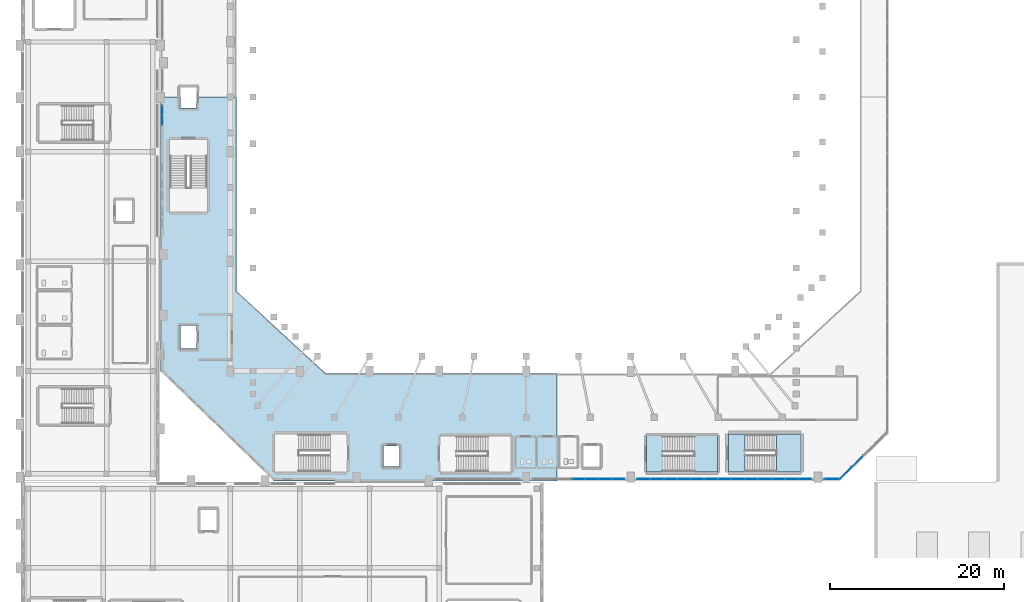
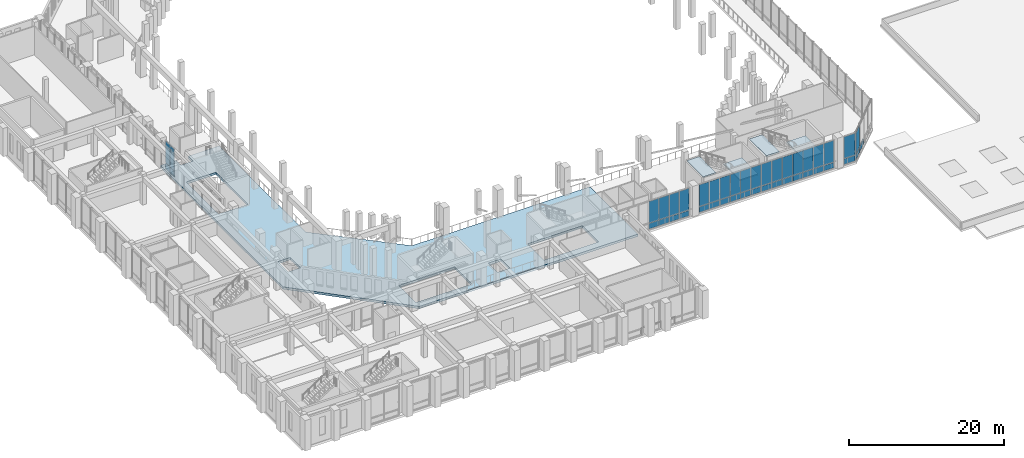
# One storey, part 68 of 126: 43 plates, 5 slabs, 7 elements without a shape of their own.
"""IFC4 building model written with IfcOpenShell, lengths in metres."""

from ifc_helpers import new_model, si_unit, derived_unit, direction, frame, origin, origin_2d, place, context, subcontext, project, spatial, polyline, rectangle, outline, extrude, material, layer, layer_set, type_object, element, aggregate, save


model = new_model("IFC4")

# Units and contexts
model_context = context("Model", 3, precision=1e-05, world=origin(), true_north=direction((0.0, 1.0)))
body_context = subcontext(model_context, "Body", "Model", "MODEL_VIEW")
ifc_project = project(units=[si_unit("LENGTHUNIT", "METRE"), si_unit("AREAUNIT", "SQUARE_METRE"), si_unit("VOLUMEUNIT", "CUBIC_METRE"), si_unit("PLANEANGLEUNIT", "RADIAN"), si_unit("MASSUNIT", "GRAM", prefix="KILO"), derived_unit("THERMALTRANSMITTANCEUNIT", [(si_unit("MASSUNIT", "GRAM", prefix="KILO"), 1), (si_unit("TIMEUNIT", "SECOND"), -3), (si_unit("THERMODYNAMICTEMPERATUREUNIT", "KELVIN"), -1)])], contexts=[model_context])

# Site, building, storey
site_placement = place(None, origin())
site = spatial("IfcSite", under=ifc_project, at=site_placement, CompositionType="ELEMENT")
building_placement = place(site_placement, origin())
building = spatial("IfcBuilding", under=site, at=building_placement, Name="Valcora Ridge Arena", CompositionType="ELEMENT")
storey_placement = place(building_placement, frame((0.0, 0.0, 11.39990234375)))
storey = spatial("IfcBuildingStorey", under=building, at=storey_placement, Name="L02", CompositionType="ELEMENT", Elevation=11.39990234375)

# Stair, slabs
ifc_material_1 = material(Name="Concrete C40/50", Category="concrete")
stair_type_1 = type_object("IfcStairType", Name="TY-STAIR-ES02-48", PredefinedType="HALF_TURN_STAIR", material=ifc_material_1)
stair_1_placement = place(storey_placement, origin())
stair_1 = element("IfcStair", 1, at=stair_1_placement, inside=storey, type_object=stair_type_1, Name="ES02-48 STR-ES-0007", PredefinedType="HALF_TURN_STAIR")
ifc_layer_1 = layer(ifc_material_1, 0.199951171875, Name="Concrete C40/50")
ifc_layer_set_1 = layer_set([ifc_layer_1], Name="Concrete C40/50")
slab_type_1 = type_object("IfcSlabType", Name="TY-LAND-ES02-48", PredefinedType="LANDING", material=ifc_layer_set_1)
slab_1_placement = place(storey_placement, frame((0.0, 0.0, 2.2001953125)))
slab_1 = element("IfcSlab", 2, at=slab_1_placement, type_object=slab_type_1, Name="ES02-48 landing 1", PredefinedType="LANDING", context=body_context, shape_type="SweptSolid", body=[
    extrude(outline(polyline([(77.280029296875, 21.001953125), (79.9580078125, 21.001953125), (79.9580078125, 25.197998046875), (77.280029296875, 25.197998046875), (77.280029296875, 21.001953125)])), origin(), (0.0, 0.0, 1.0), 0.199951171875),
])
slab_2_placement = place(storey_placement, frame((0.0, 0.0, 4.60009765625)))
slab_2 = element("IfcSlab", 3, at=slab_2_placement, type_object=slab_type_1, Name="ES02-48 landing 2", PredefinedType="LANDING", context=body_context, shape_type="SweptSolid", body=[
    extrude(outline(polyline([(71.802001953125, 21.001953125), (73.679931640625, 21.001953125), (73.679931640625, 25.197998046875), (71.802001953125, 25.197998046875), (71.802001953125, 21.001953125)])), origin(), (0.0, 0.0, 1.0), 0.199951171875),
])
aggregate(stair_1, [slab_1, slab_2])

stair_type_2 = type_object("IfcStairType", Name="TY-STAIR-ST02-48", PredefinedType="HALF_TURN_STAIR", material=ifc_material_1)
stair_2_placement = place(storey_placement, origin())
stair_2 = element("IfcStair", 4, at=stair_2_placement, inside=storey, type_object=stair_type_2, Name="ST02-48 STR-CR-0010", PredefinedType="HALF_TURN_STAIR")
ifc_layer_2 = layer(ifc_material_1, 0.199951171875, Name="Concrete C40/50")
ifc_layer_set_2 = layer_set([ifc_layer_2], Name="Concrete C40/50")
slab_type_2 = type_object("IfcSlabType", Name="TY-LAND-ST02-48", PredefinedType="LANDING", material=ifc_layer_set_2)
slab_3_placement = place(storey_placement, frame((0.0, 0.0, 2.2001953125)))
slab_3 = element("IfcSlab", 5, at=slab_3_placement, type_object=slab_type_2, Name="ST02-48 landing 1", PredefinedType="LANDING", context=body_context, shape_type="SweptSolid", body=[
    extrude(outline(polyline([(86.72998046875, 21.001953125), (89.51806640625, 21.001953125), (89.51806640625, 25.39794921875), (86.72998046875, 25.39794921875), (86.72998046875, 21.001953125)])), origin(), (0.0, 0.0, 1.0), 0.199951171875),
])
slab_4_placement = place(storey_placement, frame((0.0, 0.0, 4.60009765625)))
slab_4 = element("IfcSlab", 6, at=slab_4_placement, type_object=slab_type_2, Name="ST02-48 landing 2", PredefinedType="LANDING", context=body_context, shape_type="SweptSolid", body=[
    extrude(outline(polyline([(81.201904296875, 21.001953125), (83.1298828125, 21.001953125), (83.1298828125, 25.39794921875), (81.201904296875, 25.39794921875), (81.201904296875, 21.001953125)])), origin(), (0.0, 0.0, 1.0), 0.199951171875),
])
aggregate(stair_2, [slab_3, slab_4])

# Curtain wall, plates
ifc_material_2 = material(Name="Anodised dark bronze architectural aluminium 6063-T6", Category="aluminium")
ifc_layer_3 = layer(ifc_material_2, 0.179931640625, Name="Anodised dark bronze architectural aluminium 6063-T6")
ifc_layer_set_3 = layer_set([ifc_layer_3], Name="Anodised dark bronze architectural aluminium 6063-T6")
curtain_wall_type_1 = type_object("IfcCurtainWallType", Name="TY-CURTAINWALL-CW-V1-GOTH-023X44", PredefinedType="NOTDEFINED", material=ifc_layer_set_3)
curtain_wall_1_placement = place(storey_placement, origin())
curtain_wall_1 = element("IfcCurtainWall", 7, at=curtain_wall_1_placement, inside=storey, type_object=curtain_wall_type_1, Name="CW-V1-GOTH-023X44 CW-0114", PredefinedType="NOTDEFINED")
ifc_material_3 = material(Name="Low-iron solar-control double glazing SHGC 0.28", Category="glass")
ifc_layer_4 = layer(ifc_material_3, 0.031982421875, Name="Low-iron solar-control double glazing SHGC 0.28")
ifc_layer_set_4 = layer_set([ifc_layer_4], Name="Low-iron solar-control double glazing SHGC 0.28")
plate_type_1 = type_object("IfcPlateType", Name="TY-PLT-CWP-1065X0860", PredefinedType="CURTAIN_PANEL", material=ifc_layer_set_4)
plate_1_placement = place(storey_placement, frame((16.199951171875, 61.4423828125, 0.06005859375), z_axis=(0.0, 0.0, 1.0), x_axis=(0.0, 1.0, 0.0)))
plate_1 = element("IfcPlate", 8, at=plate_1_placement, type_object=plate_type_1, Name="CW-0114/P00-00", PredefinedType="CURTAIN_PANEL", context=body_context, shape_type="SweptSolid", body=[
    extrude(rectangle(XDim=1.06494140625, YDim=0.031982421875, at=origin_2d()), origin(), (0.0, 0.0, 1.0), 0.860107421875),
])
plate_2_placement = place(storey_placement, frame((16.199951171875, 62.5673828125, 0.06005859375), z_axis=(0.0, 0.0, 1.0), x_axis=(0.0, 1.0, 0.0)))
plate_2 = element("IfcPlate", 9, at=plate_2_placement, type_object=plate_type_1, Name="CW-0114/P01-00", PredefinedType="CURTAIN_PANEL", context=body_context, shape_type="SweptSolid", body=[
    extrude(rectangle(XDim=1.06494140625, YDim=0.031982421875, at=origin_2d()), origin(), (0.0, 0.0, 1.0), 0.860107421875),
])
ifc_layer_5 = layer(ifc_material_3, 0.031982421875, Name="Low-iron solar-control double glazing SHGC 0.28")
ifc_layer_set_5 = layer_set([ifc_layer_5], Name="Low-iron solar-control double glazing SHGC 0.28")
plate_type_2 = type_object("IfcPlateType", Name="TY-PLT-CWP-1065X3410", PredefinedType="CURTAIN_PANEL", material=ifc_layer_set_5)
plate_3_placement = place(storey_placement, frame((16.199951171875, 61.4423828125, 0.97998046875), z_axis=(0.0, 0.0, 1.0), x_axis=(0.0, 1.0, 0.0)))
plate_3 = element("IfcPlate", 10, at=plate_3_placement, type_object=plate_type_2, Name="CW-0114/P00-01", PredefinedType="CURTAIN_PANEL", context=body_context, shape_type="SweptSolid", body=[
    extrude(rectangle(XDim=1.06494140625, YDim=0.031982421875, at=origin_2d()), origin(), (0.0, 0.0, 1.0), 3.409912109375),
])
plate_4_placement = place(storey_placement, frame((16.199951171875, 62.5673828125, 0.97998046875), z_axis=(0.0, 0.0, 1.0), x_axis=(0.0, 1.0, 0.0)))
plate_4 = element("IfcPlate", 11, at=plate_4_placement, type_object=plate_type_2, Name="CW-0114/P01-01", PredefinedType="CURTAIN_PANEL", context=body_context, shape_type="SweptSolid", body=[
    extrude(rectangle(XDim=1.06494140625, YDim=0.031982421875, at=origin_2d()), origin(), (0.0, 0.0, 1.0), 3.409912109375),
])
aggregate(curtain_wall_1, [plate_1, plate_3, plate_2, plate_4])

ifc_layer_6 = layer(ifc_material_2, 0.179931640625, Name="Anodised dark bronze architectural aluminium 6063-T6")
ifc_layer_set_6 = layer_set([ifc_layer_6], Name="Anodised dark bronze architectural aluminium 6063-T6")
curtain_wall_type_2 = type_object("IfcCurtainWallType", Name="TY-CURTAINWALL-CW-V1-GOTH-106X44", PredefinedType="NOTDEFINED", material=ifc_layer_set_6)
curtain_wall_2_placement = place(storey_placement, origin())
curtain_wall_2 = element("IfcCurtainWall", 12, at=curtain_wall_2_placement, inside=storey, type_object=curtain_wall_type_2, Name="CW-V1-GOTH-106X44 CW-0121", PredefinedType="NOTDEFINED")
ifc_layer_7 = layer(ifc_material_3, 0.031982421875, Name="Low-iron solar-control double glazing SHGC 0.28")
ifc_layer_set_7 = layer_set([ifc_layer_7], Name="Low-iron solar-control double glazing SHGC 0.28")
plate_type_3 = type_object("IfcPlateType", Name="TY-PLT-CWP-1427X0860", PredefinedType="CURTAIN_PANEL", material=ifc_layer_set_7)
plate_5_placement = place(storey_placement, frame((68.53662109375, 20.199951171875, 0.06005859375), z_axis=(0.0, 0.0, 1.0), x_axis=(1.0, 0.0, 0.0)))
plate_5 = element("IfcPlate", 13, at=plate_5_placement, type_object=plate_type_3, Name="CW-0121/P06-00", PredefinedType="CURTAIN_PANEL", context=body_context, shape_type="SweptSolid", body=[
    extrude(rectangle(XDim=1.427001953125, YDim=0.031982421875, at=origin_2d()), origin(), (0.0, 0.0, 1.0), 0.860107421875),
])
ifc_layer_8 = layer(ifc_material_3, 0.031982421875, Name="Low-iron solar-control double glazing SHGC 0.28")
ifc_layer_set_8 = layer_set([ifc_layer_8], Name="Low-iron solar-control double glazing SHGC 0.28")
plate_type_4 = type_object("IfcPlateType", Name="TY-PLT-CWP-1427X3410", PredefinedType="CURTAIN_PANEL", material=ifc_layer_set_8)
plate_6_placement = place(storey_placement, frame((68.53662109375, 20.199951171875, 0.97998046875), z_axis=(0.0, 0.0, 1.0), x_axis=(1.0, 0.0, 0.0)))
plate_6 = element("IfcPlate", 14, at=plate_6_placement, type_object=plate_type_4, Name="CW-0121/P06-01", PredefinedType="CURTAIN_PANEL", context=body_context, shape_type="SweptSolid", body=[
    extrude(rectangle(XDim=1.427001953125, YDim=0.031982421875, at=origin_2d()), origin(), (0.0, 0.0, 1.0), 3.409912109375),
])
ifc_layer_9 = layer(ifc_material_3, 0.031982421875, Name="Low-iron solar-control double glazing SHGC 0.28")
ifc_layer_set_9 = layer_set([ifc_layer_9], Name="Low-iron solar-control double glazing SHGC 0.28")
plate_type_5 = type_object("IfcPlateType", Name="TY-PLT-CWP-1457X0860", PredefinedType="CURTAIN_PANEL", material=ifc_layer_set_9)
plate_7_placement = place(storey_placement, frame((65.517578125, 20.199951171875, 0.06005859375), z_axis=(0.0, 0.0, 1.0), x_axis=(1.0, 0.0, 0.0)))
plate_7 = element("IfcPlate", 15, at=plate_7_placement, type_object=plate_type_5, Name="CW-0121/P04-00", PredefinedType="CURTAIN_PANEL", context=body_context, shape_type="SweptSolid", body=[
    extrude(rectangle(XDim=1.45703125, YDim=0.031982421875, at=origin_2d()), origin(), (0.0, 0.0, 1.0), 0.860107421875),
])
plate_8_placement = place(storey_placement, frame((67.034423828125, 20.199951171875, 0.06005859375), z_axis=(0.0, 0.0, 1.0), x_axis=(1.0, 0.0, 0.0)))
plate_8 = element("IfcPlate", 16, at=plate_8_placement, type_object=plate_type_5, Name="CW-0121/P05-00", PredefinedType="CURTAIN_PANEL", context=body_context, shape_type="SweptSolid", body=[
    extrude(rectangle(XDim=1.45703125, YDim=0.031982421875, at=origin_2d()), origin(), (0.0, 0.0, 1.0), 0.860107421875),
])
ifc_layer_10 = layer(ifc_material_3, 0.031982421875, Name="Low-iron solar-control double glazing SHGC 0.28")
ifc_layer_set_10 = layer_set([ifc_layer_10], Name="Low-iron solar-control double glazing SHGC 0.28")
plate_type_6 = type_object("IfcPlateType", Name="TY-PLT-CWP-1457X3410", PredefinedType="CURTAIN_PANEL", material=ifc_layer_set_10)
plate_9_placement = place(storey_placement, frame((65.517578125, 20.199951171875, 0.97998046875), z_axis=(0.0, 0.0, 1.0), x_axis=(1.0, 0.0, 0.0)))
plate_9 = element("IfcPlate", 17, at=plate_9_placement, type_object=plate_type_6, Name="CW-0121/P04-01", PredefinedType="CURTAIN_PANEL", context=body_context, shape_type="SweptSolid", body=[
    extrude(rectangle(XDim=1.45703125, YDim=0.031982421875, at=origin_2d()), origin(), (0.0, 0.0, 1.0), 3.409912109375),
])
plate_10_placement = place(storey_placement, frame((67.034423828125, 20.199951171875, 0.97998046875), z_axis=(0.0, 0.0, 1.0), x_axis=(1.0, 0.0, 0.0)))
plate_10 = element("IfcPlate", 18, at=plate_10_placement, type_object=plate_type_6, Name="CW-0121/P05-01", PredefinedType="CURTAIN_PANEL", context=body_context, shape_type="SweptSolid", body=[
    extrude(rectangle(XDim=1.45703125, YDim=0.031982421875, at=origin_2d()), origin(), (0.0, 0.0, 1.0), 3.409912109375),
])
ifc_layer_11 = layer(ifc_material_3, 0.031982421875, Name="Low-iron solar-control double glazing SHGC 0.28")
ifc_layer_set_11 = layer_set([ifc_layer_11], Name="Low-iron solar-control double glazing SHGC 0.28")
plate_type_7 = type_object("IfcPlateType", Name="TY-PLT-CWP-1458X0860", PredefinedType="CURTAIN_PANEL", material=ifc_layer_set_11)
plate_11_placement = place(storey_placement, frame((64.0, 20.199951171875, 0.06005859375), z_axis=(0.0, 0.0, 1.0), x_axis=(1.0, 0.0, 0.0)))
plate_11 = element("IfcPlate", 19, at=plate_11_placement, type_object=plate_type_7, Name="CW-0121/P03-00", PredefinedType="CURTAIN_PANEL", context=body_context, shape_type="SweptSolid", body=[
    extrude(rectangle(XDim=1.4580078125, YDim=0.031982421875, at=origin_2d()), origin(), (0.0, 0.0, 1.0), 0.860107421875),
])

ifc_layer_12 = layer(ifc_material_2, 0.179931640625, Name="Anodised dark bronze architectural aluminium 6063-T6")
ifc_layer_set_12 = layer_set([ifc_layer_12], Name="Anodised dark bronze architectural aluminium 6063-T6")
curtain_wall_type_3 = type_object("IfcCurtainWallType", Name="TY-CURTAINWALL-CW-V1-GOTH-201X44", PredefinedType="NOTDEFINED", material=ifc_layer_set_12)
curtain_wall_3_placement = place(storey_placement, origin())
curtain_wall_3 = element("IfcCurtainWall", 20, at=curtain_wall_3_placement, inside=storey, type_object=curtain_wall_type_3, Name="CW-V1-GOTH-201X44 CW-0122", PredefinedType="NOTDEFINED")
plate_12_placement = place(storey_placement, frame((71.47900390625, 20.199951171875, 0.06005859375), z_axis=(0.0, 0.0, 1.0), x_axis=(1.0, 0.0, 0.0)))
plate_12 = element("IfcPlate", 21, at=plate_12_placement, type_object=plate_type_7, Name="CW-0122/P00-00", PredefinedType="CURTAIN_PANEL", context=body_context, shape_type="SweptSolid", body=[
    extrude(rectangle(XDim=1.4580078125, YDim=0.031982421875, at=origin_2d()), origin(), (0.0, 0.0, 1.0), 0.860107421875),
])
plate_13_placement = place(storey_placement, frame((90.02099609375, 20.199951171875, 0.06005859375), z_axis=(0.0, 0.0, 1.0), x_axis=(1.0, 0.0, 0.0)))
plate_13 = element("IfcPlate", 22, at=plate_13_placement, type_object=plate_type_7, Name="CW-0122/P12-00", PredefinedType="CURTAIN_PANEL", context=body_context, shape_type="SweptSolid", body=[
    extrude(rectangle(XDim=1.4580078125, YDim=0.031982421875, at=origin_2d()), origin(), (0.0, 0.0, 1.0), 0.860107421875),
])

# Plate
ifc_layer_13 = layer(ifc_material_3, 0.031982421875, Name="Low-iron solar-control double glazing SHGC 0.28")
ifc_layer_set_13 = layer_set([ifc_layer_13], Name="Low-iron solar-control double glazing SHGC 0.28")
plate_type_8 = type_object("IfcPlateType", Name="TY-PLT-CWP-1458X3410", PredefinedType="CURTAIN_PANEL", material=ifc_layer_set_13)
plate_14_placement = place(storey_placement, frame((64.0, 20.199951171875, 0.97998046875), z_axis=(0.0, 0.0, 1.0), x_axis=(1.0, 0.0, 0.0)))
plate_14 = element("IfcPlate", 23, at=plate_14_placement, type_object=plate_type_8, Name="CW-0121/P03-01", PredefinedType="CURTAIN_PANEL", context=body_context, shape_type="SweptSolid", body=[
    extrude(rectangle(XDim=1.4580078125, YDim=0.031982421875, at=origin_2d()), origin(), (0.0, 0.0, 1.0), 3.409912109375),
])

aggregate(curtain_wall_2, [plate_11, plate_14, plate_7, plate_9, plate_8, plate_10, plate_5, plate_6])

plate_15_placement = place(storey_placement, frame((71.47900390625, 20.199951171875, 0.97998046875), z_axis=(0.0, 0.0, 1.0), x_axis=(1.0, 0.0, 0.0)))
plate_15 = element("IfcPlate", 24, at=plate_15_placement, type_object=plate_type_8, Name="CW-0122/P00-01", PredefinedType="CURTAIN_PANEL", context=body_context, shape_type="SweptSolid", body=[
    extrude(rectangle(XDim=1.4580078125, YDim=0.031982421875, at=origin_2d()), origin(), (0.0, 0.0, 1.0), 3.409912109375),
])

plate_16_placement = place(storey_placement, frame((90.02099609375, 20.199951171875, 0.97998046875), z_axis=(0.0, 0.0, 1.0), x_axis=(1.0, 0.0, 0.0)))
plate_16 = element("IfcPlate", 25, at=plate_16_placement, type_object=plate_type_8, Name="CW-0122/P12-01", PredefinedType="CURTAIN_PANEL", context=body_context, shape_type="SweptSolid", body=[
    extrude(rectangle(XDim=1.4580078125, YDim=0.031982421875, at=origin_2d()), origin(), (0.0, 0.0, 1.0), 3.409912109375),
])

ifc_layer_14 = layer(ifc_material_3, 0.031982421875, Name="Low-iron solar-control double glazing SHGC 0.28")
ifc_layer_set_14 = layer_set([ifc_layer_14], Name="Low-iron solar-control double glazing SHGC 0.28")
plate_type_9 = type_object("IfcPlateType", Name="TY-PLT-CWP-1487X0860", PredefinedType="CURTAIN_PANEL", material=ifc_layer_set_14)
plate_17_placement = place(storey_placement, frame((73.011474609375, 20.199951171875, 0.06005859375), z_axis=(0.0, 0.0, 1.0), x_axis=(1.0, 0.0, 0.0)))
plate_17 = element("IfcPlate", 26, at=plate_17_placement, type_object=plate_type_9, Name="CW-0122/P01-00", PredefinedType="CURTAIN_PANEL", context=body_context, shape_type="SweptSolid", body=[
    extrude(rectangle(XDim=1.487060546875, YDim=0.031982421875, at=origin_2d()), origin(), (0.0, 0.0, 1.0), 0.860107421875),
])

plate_18_placement = place(storey_placement, frame((77.654541015625, 20.199951171875, 0.06005859375), z_axis=(0.0, 0.0, 1.0), x_axis=(1.0, 0.0, 0.0)))
plate_18 = element("IfcPlate", 27, at=plate_18_placement, type_object=plate_type_9, Name="CW-0122/P04-00", PredefinedType="CURTAIN_PANEL", context=body_context, shape_type="SweptSolid", body=[
    extrude(rectangle(XDim=1.487060546875, YDim=0.031982421875, at=origin_2d()), origin(), (0.0, 0.0, 1.0), 0.860107421875),
])

plate_19_placement = place(storey_placement, frame((83.845458984375, 20.199951171875, 0.06005859375), z_axis=(0.0, 0.0, 1.0), x_axis=(1.0, 0.0, 0.0)))
plate_19 = element("IfcPlate", 28, at=plate_19_placement, type_object=plate_type_9, Name="CW-0122/P08-00", PredefinedType="CURTAIN_PANEL", context=body_context, shape_type="SweptSolid", body=[
    extrude(rectangle(XDim=1.487060546875, YDim=0.031982421875, at=origin_2d()), origin(), (0.0, 0.0, 1.0), 0.860107421875),
])

plate_20_placement = place(storey_placement, frame((88.488525390625, 20.199951171875, 0.06005859375), z_axis=(0.0, 0.0, 1.0), x_axis=(1.0, 0.0, 0.0)))
plate_20 = element("IfcPlate", 29, at=plate_20_placement, type_object=plate_type_9, Name="CW-0122/P11-00", PredefinedType="CURTAIN_PANEL", context=body_context, shape_type="SweptSolid", body=[
    extrude(rectangle(XDim=1.487060546875, YDim=0.031982421875, at=origin_2d()), origin(), (0.0, 0.0, 1.0), 0.860107421875),
])

ifc_layer_15 = layer(ifc_material_3, 0.031982421875, Name="Low-iron solar-control double glazing SHGC 0.28")
ifc_layer_set_15 = layer_set([ifc_layer_15], Name="Low-iron solar-control double glazing SHGC 0.28")
plate_type_10 = type_object("IfcPlateType", Name="TY-PLT-CWP-1487X3410", PredefinedType="CURTAIN_PANEL", material=ifc_layer_set_15)
plate_21_placement = place(storey_placement, frame((73.011474609375, 20.199951171875, 0.97998046875), z_axis=(0.0, 0.0, 1.0), x_axis=(1.0, 0.0, 0.0)))
plate_21 = element("IfcPlate", 30, at=plate_21_placement, type_object=plate_type_10, Name="CW-0122/P01-01", PredefinedType="CURTAIN_PANEL", context=body_context, shape_type="SweptSolid", body=[
    extrude(rectangle(XDim=1.487060546875, YDim=0.031982421875, at=origin_2d()), origin(), (0.0, 0.0, 1.0), 3.409912109375),
])

plate_22_placement = place(storey_placement, frame((77.654541015625, 20.199951171875, 0.97998046875), z_axis=(0.0, 0.0, 1.0), x_axis=(1.0, 0.0, 0.0)))
plate_22 = element("IfcPlate", 31, at=plate_22_placement, type_object=plate_type_10, Name="CW-0122/P04-01", PredefinedType="CURTAIN_PANEL", context=body_context, shape_type="SweptSolid", body=[
    extrude(rectangle(XDim=1.487060546875, YDim=0.031982421875, at=origin_2d()), origin(), (0.0, 0.0, 1.0), 3.409912109375),
])

plate_23_placement = place(storey_placement, frame((83.845458984375, 20.199951171875, 0.97998046875), z_axis=(0.0, 0.0, 1.0), x_axis=(1.0, 0.0, 0.0)))
plate_23 = element("IfcPlate", 32, at=plate_23_placement, type_object=plate_type_10, Name="CW-0122/P08-01", PredefinedType="CURTAIN_PANEL", context=body_context, shape_type="SweptSolid", body=[
    extrude(rectangle(XDim=1.487060546875, YDim=0.031982421875, at=origin_2d()), origin(), (0.0, 0.0, 1.0), 3.409912109375),
])

plate_24_placement = place(storey_placement, frame((88.488525390625, 20.199951171875, 0.97998046875), z_axis=(0.0, 0.0, 1.0), x_axis=(1.0, 0.0, 0.0)))
plate_24 = element("IfcPlate", 33, at=plate_24_placement, type_object=plate_type_10, Name="CW-0122/P11-01", PredefinedType="CURTAIN_PANEL", context=body_context, shape_type="SweptSolid", body=[
    extrude(rectangle(XDim=1.487060546875, YDim=0.031982421875, at=origin_2d()), origin(), (0.0, 0.0, 1.0), 3.409912109375),
])

ifc_layer_16 = layer(ifc_material_3, 0.031982421875, Name="Low-iron solar-control double glazing SHGC 0.28")
ifc_layer_set_16 = layer_set([ifc_layer_16], Name="Low-iron solar-control double glazing SHGC 0.28")
plate_type_11 = type_object("IfcPlateType", Name="TY-PLT-CWP-1488X0860", PredefinedType="CURTAIN_PANEL", material=ifc_layer_set_16)
plate_25_placement = place(storey_placement, frame((74.55908203125, 20.199951171875, 0.06005859375), z_axis=(0.0, 0.0, 1.0), x_axis=(1.0, 0.0, 0.0)))
plate_25 = element("IfcPlate", 34, at=plate_25_placement, type_object=plate_type_11, Name="CW-0122/P02-00", PredefinedType="CURTAIN_PANEL", context=body_context, shape_type="SweptSolid", body=[
    extrude(rectangle(XDim=1.488037109375, YDim=0.031982421875, at=origin_2d()), origin(), (0.0, 0.0, 1.0), 0.860107421875),
])

plate_26_placement = place(storey_placement, frame((76.10693359375, 20.199951171875, 0.06005859375), z_axis=(0.0, 0.0, 1.0), x_axis=(1.0, 0.0, 0.0)))
plate_26 = element("IfcPlate", 35, at=plate_26_placement, type_object=plate_type_11, Name="CW-0122/P03-00", PredefinedType="CURTAIN_PANEL", context=body_context, shape_type="SweptSolid", body=[
    extrude(rectangle(XDim=1.488037109375, YDim=0.031982421875, at=origin_2d()), origin(), (0.0, 0.0, 1.0), 0.860107421875),
])

plate_27_placement = place(storey_placement, frame((79.201904296875, 20.199951171875, 0.06005859375), z_axis=(0.0, 0.0, 1.0), x_axis=(1.0, 0.0, 0.0)))
plate_27 = element("IfcPlate", 36, at=plate_27_placement, type_object=plate_type_11, Name="CW-0122/P05-00", PredefinedType="CURTAIN_PANEL", context=body_context, shape_type="SweptSolid", body=[
    extrude(rectangle(XDim=1.488037109375, YDim=0.031982421875, at=origin_2d()), origin(), (0.0, 0.0, 1.0), 0.860107421875),
])

plate_28_placement = place(storey_placement, frame((80.75, 20.199951171875, 0.06005859375), z_axis=(0.0, 0.0, 1.0), x_axis=(1.0, 0.0, 0.0)))
plate_28 = element("IfcPlate", 37, at=plate_28_placement, type_object=plate_type_11, Name="CW-0122/P06-00", PredefinedType="CURTAIN_PANEL", context=body_context, shape_type="SweptSolid", body=[
    extrude(rectangle(XDim=1.488037109375, YDim=0.031982421875, at=origin_2d()), origin(), (0.0, 0.0, 1.0), 0.860107421875),
])

plate_29_placement = place(storey_placement, frame((82.298095703125, 20.199951171875, 0.06005859375), z_axis=(0.0, 0.0, 1.0), x_axis=(1.0, 0.0, 0.0)))
plate_29 = element("IfcPlate", 38, at=plate_29_placement, type_object=plate_type_11, Name="CW-0122/P07-00", PredefinedType="CURTAIN_PANEL", context=body_context, shape_type="SweptSolid", body=[
    extrude(rectangle(XDim=1.488037109375, YDim=0.031982421875, at=origin_2d()), origin(), (0.0, 0.0, 1.0), 0.860107421875),
])

plate_30_placement = place(storey_placement, frame((85.39306640625, 20.199951171875, 0.06005859375), z_axis=(0.0, 0.0, 1.0), x_axis=(1.0, 0.0, 0.0)))
plate_30 = element("IfcPlate", 39, at=plate_30_placement, type_object=plate_type_11, Name="CW-0122/P09-00", PredefinedType="CURTAIN_PANEL", context=body_context, shape_type="SweptSolid", body=[
    extrude(rectangle(XDim=1.488037109375, YDim=0.031982421875, at=origin_2d()), origin(), (0.0, 0.0, 1.0), 0.860107421875),
])

plate_31_placement = place(storey_placement, frame((86.94091796875, 20.199951171875, 0.06005859375), z_axis=(0.0, 0.0, 1.0), x_axis=(1.0, 0.0, 0.0)))
plate_31 = element("IfcPlate", 40, at=plate_31_placement, type_object=plate_type_11, Name="CW-0122/P10-00", PredefinedType="CURTAIN_PANEL", context=body_context, shape_type="SweptSolid", body=[
    extrude(rectangle(XDim=1.488037109375, YDim=0.031982421875, at=origin_2d()), origin(), (0.0, 0.0, 1.0), 0.860107421875),
])

ifc_layer_17 = layer(ifc_material_3, 0.031982421875, Name="Low-iron solar-control double glazing SHGC 0.28")
ifc_layer_set_17 = layer_set([ifc_layer_17], Name="Low-iron solar-control double glazing SHGC 0.28")
plate_type_12 = type_object("IfcPlateType", Name="TY-PLT-CWP-1488X3410", PredefinedType="CURTAIN_PANEL", material=ifc_layer_set_17)
plate_32_placement = place(storey_placement, frame((74.55908203125, 20.199951171875, 0.97998046875), z_axis=(0.0, 0.0, 1.0), x_axis=(1.0, 0.0, 0.0)))
plate_32 = element("IfcPlate", 41, at=plate_32_placement, type_object=plate_type_12, Name="CW-0122/P02-01", PredefinedType="CURTAIN_PANEL", context=body_context, shape_type="SweptSolid", body=[
    extrude(rectangle(XDim=1.488037109375, YDim=0.031982421875, at=origin_2d()), origin(), (0.0, 0.0, 1.0), 3.409912109375),
])

plate_33_placement = place(storey_placement, frame((76.10693359375, 20.199951171875, 0.97998046875), z_axis=(0.0, 0.0, 1.0), x_axis=(1.0, 0.0, 0.0)))
plate_33 = element("IfcPlate", 42, at=plate_33_placement, type_object=plate_type_12, Name="CW-0122/P03-01", PredefinedType="CURTAIN_PANEL", context=body_context, shape_type="SweptSolid", body=[
    extrude(rectangle(XDim=1.488037109375, YDim=0.031982421875, at=origin_2d()), origin(), (0.0, 0.0, 1.0), 3.409912109375),
])

plate_34_placement = place(storey_placement, frame((79.201904296875, 20.199951171875, 0.97998046875), z_axis=(0.0, 0.0, 1.0), x_axis=(1.0, 0.0, 0.0)))
plate_34 = element("IfcPlate", 43, at=plate_34_placement, type_object=plate_type_12, Name="CW-0122/P05-01", PredefinedType="CURTAIN_PANEL", context=body_context, shape_type="SweptSolid", body=[
    extrude(rectangle(XDim=1.488037109375, YDim=0.031982421875, at=origin_2d()), origin(), (0.0, 0.0, 1.0), 3.409912109375),
])

plate_35_placement = place(storey_placement, frame((80.75, 20.199951171875, 0.97998046875), z_axis=(0.0, 0.0, 1.0), x_axis=(1.0, 0.0, 0.0)))
plate_35 = element("IfcPlate", 44, at=plate_35_placement, type_object=plate_type_12, Name="CW-0122/P06-01", PredefinedType="CURTAIN_PANEL", context=body_context, shape_type="SweptSolid", body=[
    extrude(rectangle(XDim=1.488037109375, YDim=0.031982421875, at=origin_2d()), origin(), (0.0, 0.0, 1.0), 3.409912109375),
])

plate_36_placement = place(storey_placement, frame((82.298095703125, 20.199951171875, 0.97998046875), z_axis=(0.0, 0.0, 1.0), x_axis=(1.0, 0.0, 0.0)))
plate_36 = element("IfcPlate", 45, at=plate_36_placement, type_object=plate_type_12, Name="CW-0122/P07-01", PredefinedType="CURTAIN_PANEL", context=body_context, shape_type="SweptSolid", body=[
    extrude(rectangle(XDim=1.488037109375, YDim=0.031982421875, at=origin_2d()), origin(), (0.0, 0.0, 1.0), 3.409912109375),
])

plate_37_placement = place(storey_placement, frame((85.39306640625, 20.199951171875, 0.97998046875), z_axis=(0.0, 0.0, 1.0), x_axis=(1.0, 0.0, 0.0)))
plate_37 = element("IfcPlate", 46, at=plate_37_placement, type_object=plate_type_12, Name="CW-0122/P09-01", PredefinedType="CURTAIN_PANEL", context=body_context, shape_type="SweptSolid", body=[
    extrude(rectangle(XDim=1.488037109375, YDim=0.031982421875, at=origin_2d()), origin(), (0.0, 0.0, 1.0), 3.409912109375),
])

plate_38_placement = place(storey_placement, frame((86.94091796875, 20.199951171875, 0.97998046875), z_axis=(0.0, 0.0, 1.0), x_axis=(1.0, 0.0, 0.0)))
plate_38 = element("IfcPlate", 47, at=plate_38_placement, type_object=plate_type_12, Name="CW-0122/P10-01", PredefinedType="CURTAIN_PANEL", context=body_context, shape_type="SweptSolid", body=[
    extrude(rectangle(XDim=1.488037109375, YDim=0.031982421875, at=origin_2d()), origin(), (0.0, 0.0, 1.0), 3.409912109375),
])

aggregate(curtain_wall_3, [plate_12, plate_15, plate_17, plate_21, plate_25, plate_32, plate_26, plate_33, plate_18, plate_22, plate_27, plate_34, plate_28, plate_35, plate_29, plate_36, plate_19, plate_23, plate_30, plate_37, plate_31, plate_38, plate_20, plate_24, plate_13, plate_16])

# Curtain wall, plates
ifc_layer_18 = layer(ifc_material_2, 0.179931640625, Name="Anodised dark bronze architectural aluminium 6063-T6")
ifc_layer_set_18 = layer_set([ifc_layer_18], Name="Anodised dark bronze architectural aluminium 6063-T6")
curtain_wall_type_4 = type_object("IfcCurtainWallType", Name="TY-CURTAINWALL-CW-V1-GOTH-018X44", PredefinedType="NOTDEFINED", material=ifc_layer_set_18)
curtain_wall_4_placement = place(storey_placement, origin())
curtain_wall_4 = element("IfcCurtainWall", 48, at=curtain_wall_4_placement, inside=storey, type_object=curtain_wall_type_4, Name="CW-V1-GOTH-018X44 CW-0123", PredefinedType="NOTDEFINED")
ifc_layer_19 = layer(ifc_material_3, 0.031982421875, Name="Low-iron solar-control double glazing SHGC 0.28")
ifc_layer_set_19 = layer_set([ifc_layer_19], Name="Low-iron solar-control double glazing SHGC 0.28")
plate_type_13 = type_object("IfcPlateType", Name="TY-PLT-CWP-1690X0860", PredefinedType="CURTAIN_PANEL", material=ifc_layer_set_19)
plate_39_placement = place(storey_placement, frame((93.094970703125, 20.199951171875, 0.06005859375), z_axis=(0.0, 0.0, 1.0), x_axis=(1.0, 0.0, 0.0)))
plate_39 = element("IfcPlate", 49, at=plate_39_placement, type_object=plate_type_13, Name="CW-0123/P00-00", PredefinedType="CURTAIN_PANEL", context=body_context, shape_type="SweptSolid", body=[
    extrude(rectangle(XDim=1.68994140625, YDim=0.031982421875, at=origin_2d()), origin(), (0.0, 0.0, 1.0), 0.860107421875),
])
ifc_layer_20 = layer(ifc_material_3, 0.031982421875, Name="Low-iron solar-control double glazing SHGC 0.28")
ifc_layer_set_20 = layer_set([ifc_layer_20], Name="Low-iron solar-control double glazing SHGC 0.28")
plate_type_14 = type_object("IfcPlateType", Name="TY-PLT-CWP-1690X3410", PredefinedType="CURTAIN_PANEL", material=ifc_layer_set_20)
plate_40_placement = place(storey_placement, frame((93.094970703125, 20.199951171875, 0.97998046875), z_axis=(0.0, 0.0, 1.0), x_axis=(1.0, 0.0, 0.0)))
plate_40 = element("IfcPlate", 50, at=plate_40_placement, type_object=plate_type_14, Name="CW-0123/P00-01", PredefinedType="CURTAIN_PANEL", context=body_context, shape_type="SweptSolid", body=[
    extrude(rectangle(XDim=1.68994140625, YDim=0.031982421875, at=origin_2d()), origin(), (0.0, 0.0, 1.0), 3.409912109375),
])
aggregate(curtain_wall_4, [plate_39, plate_40])

ifc_layer_21 = layer(ifc_material_2, 0.14990234375, Name="Anodised dark bronze architectural aluminium 6063-T6")
ifc_layer_set_21 = layer_set([ifc_layer_21], Name="Anodised dark bronze architectural aluminium 6063-T6")
curtain_wall_type_5 = type_object("IfcCurtainWallType", Name="TY-CURTAINWALL-CW-V1-EAST-077X44", PredefinedType="NOTDEFINED", material=ifc_layer_set_21)
curtain_wall_5_placement = place(storey_placement, origin())
curtain_wall_5 = element("IfcCurtainWall", 51, at=curtain_wall_5_placement, inside=storey, type_object=curtain_wall_type_5, Name="CW-V1-EAST-077X44 CW-0128", PredefinedType="NOTDEFINED")
ifc_layer_22 = layer(ifc_material_3, 0.028076171875, Name="Low-iron solar-control double glazing SHGC 0.28")
ifc_layer_set_22 = layer_set([ifc_layer_22], Name="Low-iron solar-control double glazing SHGC 0.28")
plate_type_15 = type_object("IfcPlateType", Name="TY-PLT-CWP-1848X0875", PredefinedType="CURTAIN_PANEL", material=ifc_layer_set_22)
plate_41_placement = place(storey_placement, frame((94.690185546875, 20.88720703125, 0.050048828125), z_axis=(0.0, 0.0, 1.0), x_axis=(0.708555400884, 0.705655187665, 0.0)))
plate_41 = element("IfcPlate", 52, at=plate_41_placement, type_object=plate_type_15, Name="CW-0128/P00-00", PredefinedType="CURTAIN_PANEL", context=body_context, shape_type="SweptSolid", body=[
    extrude(rectangle(XDim=1.847900390625, YDim=0.028076171875, at=origin_2d()), origin(), (0.0, 0.0, 1.0), 0.875),
])
ifc_layer_23 = layer(ifc_material_3, 0.028076171875, Name="Low-iron solar-control double glazing SHGC 0.28")
ifc_layer_set_23 = layer_set([ifc_layer_23], Name="Low-iron solar-control double glazing SHGC 0.28")
plate_type_16 = type_object("IfcPlateType", Name="TY-PLT-CWP-1848X3425", PredefinedType="CURTAIN_PANEL", material=ifc_layer_set_23)
plate_42_placement = place(storey_placement, frame((94.690185546875, 20.88720703125, 0.97509765625), z_axis=(0.0, 0.0, 1.0), x_axis=(0.708555400884, 0.705655187665, 0.0)))
plate_42 = element("IfcPlate", 53, at=plate_42_placement, type_object=plate_type_16, Name="CW-0128/P00-01", PredefinedType="CURTAIN_PANEL", context=body_context, shape_type="SweptSolid", body=[
    extrude(rectangle(XDim=1.847900390625, YDim=0.028076171875, at=origin_2d()), origin(), (0.0, 0.0, 1.0), 3.425048828125),
])
ifc_layer_24 = layer(ifc_material_3, 0.028076171875, Name="Low-iron solar-control double glazing SHGC 0.28")
ifc_layer_set_24 = layer_set([ifc_layer_24], Name="Low-iron solar-control double glazing SHGC 0.28")
plate_type_17 = type_object("IfcPlateType", Name="TY-PLT-CWP-1873X0875", PredefinedType="CURTAIN_PANEL", material=ifc_layer_set_24)
plate_43_placement = place(storey_placement, frame((96.043701171875, 22.235595703125, 0.050048828125), z_axis=(0.0, 0.0, 1.0), x_axis=(0.708555400884, 0.705655187665, 0.0)))
plate_43 = element("IfcPlate", 54, at=plate_43_placement, type_object=plate_type_17, Name="CW-0128/P01-00", PredefinedType="CURTAIN_PANEL", context=body_context, shape_type="SweptSolid", body=[
    extrude(rectangle(XDim=1.873046875, YDim=0.028076171875, at=origin_2d()), origin(), (0.0, 0.0, 1.0), 0.875),
])
aggregate(curtain_wall_5, [plate_41, plate_42, plate_43])

# Slab
ifc_layer_25 = layer(ifc_material_1, 0.360107421875, Name="Concrete C40/50")
ifc_layer_set_25 = layer_set([ifc_layer_25], Name="Concrete C40/50")
slab_type_3 = type_object("IfcSlabType", Name="TY-SLAB-SL-CLUB-360-SW", PredefinedType="FLOOR", material=ifc_layer_set_25)
slab_5_placement = place(storey_placement, frame((0.0, 0.0, -0.35986328125)))
element("IfcSlab", 55, at=slab_5_placement, inside=storey, type_object=slab_type_3, Name="SL-CLUB-360-SW SLB-0041", PredefinedType="FLOOR", context=body_context, shape_type="SweptSolid", body=[
    extrude(outline(polyline([(16.0, 64.10009765625), (16.0, 32.60009765625), (29.0, 20.0), (61.5, 20.0), (61.5, 32.300048828125), (35.0, 32.300048828125), (24.699951171875, 41.800048828125), (24.699951171875, 64.10009765625), (20.1201171875, 64.10009765625), (20.1201171875, 62.830078125), (18.280029296875, 62.830078125), (18.280029296875, 64.10009765625), (16.0, 64.10009765625)]), holes=[polyline([(48.10009765625, 25.199951171875), (48.10009765625, 21.0), (56.260009765625, 21.0), (56.260009765625, 25.199951171875), (48.10009765625, 25.199951171875)]), polyline([(29.080078125, 25.39990234375), (29.080078125, 21.0), (37.39990234375, 21.0), (37.39990234375, 25.39990234375), (29.080078125, 25.39990234375)]), polyline([(17.0, 59.199951171875), (17.0, 50.8798828125), (21.39990234375, 50.8798828125), (21.39990234375, 59.199951171875), (17.0, 59.199951171875)]), polyline([(43.419921875, 23.969970703125), (41.580078125, 23.969970703125), (41.580078125, 21.6298828125), (43.419921875, 21.6298828125), (43.419921875, 23.969970703125)]), polyline([(20.1201171875, 37.820068359375), (18.280029296875, 37.820068359375), (18.280029296875, 35.179931640625), (20.1201171875, 35.179931640625), (20.1201171875, 37.820068359375)])]), origin(), (0.0, 0.0, 1.0), 0.35986328125),
])

save(model, "model.ifc")
